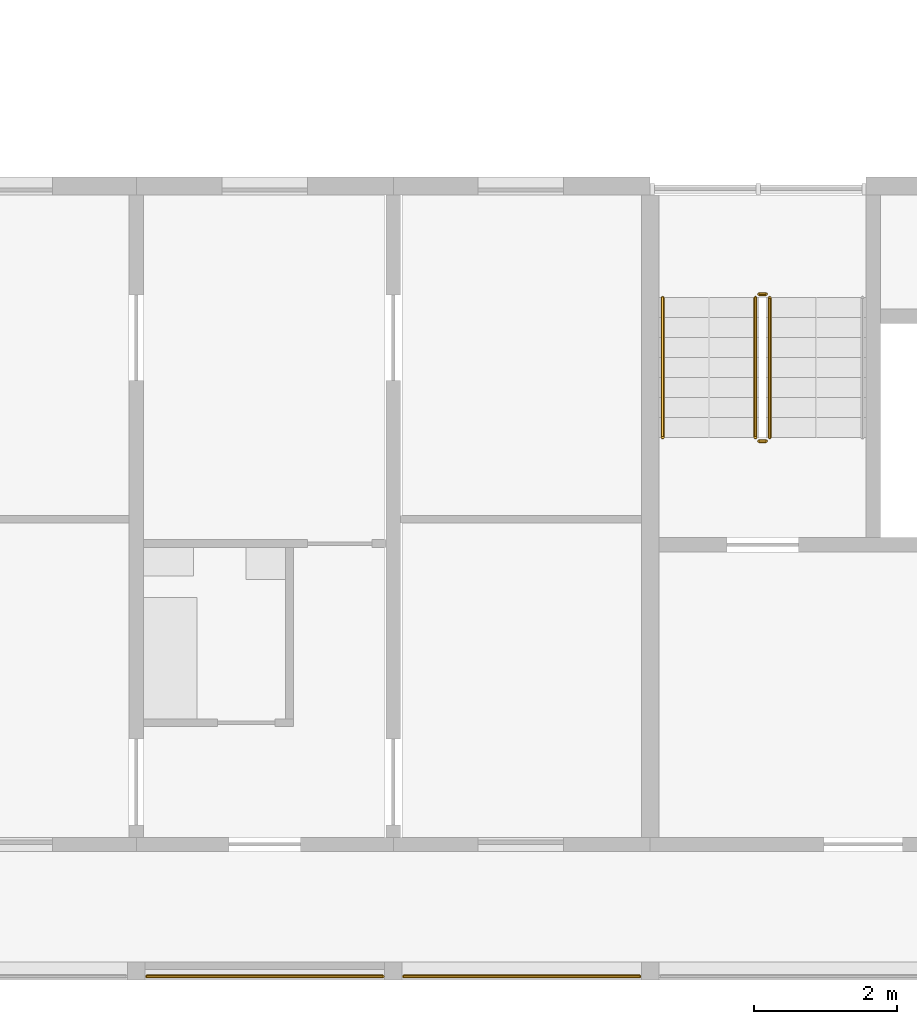
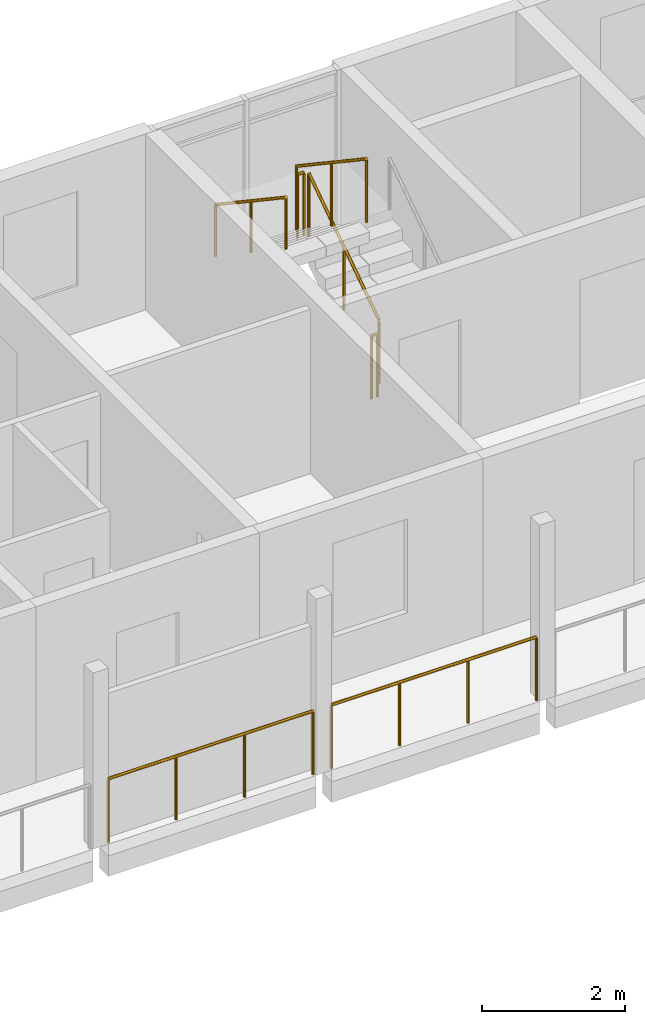
# One storey, part 78 of 98: 7 railings.
"""IFC4 building model written with IfcOpenShell, lengths in metres."""

from ifc_helpers import new_model, si_unit, direction, frame, origin, origin_2d, place, context, subcontext, project, spatial, circle, extrude, material, type_object, element, save


model = new_model("IFC4")

# Units and contexts
model_context = context("Model", 3, precision=1e-05, world=origin(), true_north=direction((0.0, 1.0)))
body_context = subcontext(model_context, "Body", "Model", "MODEL_VIEW")
ifc_project = project(units=[si_unit("LENGTHUNIT", "METRE"), si_unit("AREAUNIT", "SQUARE_METRE"), si_unit("VOLUMEUNIT", "CUBIC_METRE"), si_unit("PLANEANGLEUNIT", "RADIAN"), si_unit("MASSUNIT", "GRAM", prefix="KILO")], contexts=[model_context])

# Site, building, storey
site_placement = place(None, origin())
site = spatial("IfcSite", under=ifc_project, at=site_placement, CompositionType="ELEMENT")
building_placement = place(site_placement, origin())
building = spatial("IfcBuilding", under=site, at=building_placement, Name="Ridgestep Commons", CompositionType="ELEMENT")
storey_placement = place(building_placement, frame((0.0, 0.0, 12.0)))
storey = spatial("IfcBuildingStorey", under=building, at=storey_placement, Name="L04", CompositionType="ELEMENT", Elevation=12.0)

# Railings
ifc_material_1 = material(Name="Structural steel S355JR", Category="steel")
railing_type_1 = type_object("IfcRailingType", Name="Guard 1100", PredefinedType="GUARDRAIL", material=ifc_material_1)
railing_1_placement = place(storey_placement, frame((66.14599609375, 11.800048828125, 0.0)))
element("IfcRailing", 1, at=railing_1_placement, inside=storey, type_object=railing_type_1, Name="Gallery guard A 04.14", PredefinedType="GUARDRAIL", context=body_context, shape_type="SweptSolid", body=[
    extrude(circle(Radius=0.02392578125, at=origin_2d()), frame((0.0, 0.0, 1.076171875), z_axis=(1.0, 0.0, 0.0), x_axis=(0.0, 1.0, 0.0)), (0.0, 0.0, 1.0), 3.30810546875),
    extrude(circle(Radius=0.02099609375, at=origin_2d()), origin(), (0.0, 0.0, 1.0), 1.052001953125),
    extrude(circle(Radius=0.02099609375, at=origin_2d()), frame((1.102783203125, 0.0, 0.0)), (0.0, 0.0, 1.0), 1.052001953125),
    extrude(circle(Radius=0.02099609375, at=origin_2d()), frame((2.205322265625, 0.0, 0.0)), (0.0, 0.0, 1.0), 1.052001953125),
    extrude(circle(Radius=0.02099609375, at=origin_2d()), frame((3.30810546875, 0.0, 0.0)), (0.0, 0.0, 1.0), 1.052001953125),
])
railing_2_placement = place(storey_placement, frame((69.74609375, 11.800048828125, 0.0)))
element("IfcRailing", 2, at=railing_2_placement, inside=storey, type_object=railing_type_1, Name="Gallery guard A 04.15", PredefinedType="GUARDRAIL", context=body_context, shape_type="SweptSolid", body=[
    extrude(circle(Radius=0.02392578125, at=origin_2d()), frame((0.0, 0.0, 1.076171875), z_axis=(1.0, 0.0, 0.0), x_axis=(0.0, 1.0, 0.0)), (0.0, 0.0, 1.0), 3.307861328125),
    extrude(circle(Radius=0.02099609375, at=origin_2d()), origin(), (0.0, 0.0, 1.0), 1.052001953125),
    extrude(circle(Radius=0.02099609375, at=origin_2d()), frame((1.1025390625, 0.0, 0.0)), (0.0, 0.0, 1.0), 1.052001953125),
    extrude(circle(Radius=0.02099609375, at=origin_2d()), frame((2.205322265625, 0.0, 0.0)), (0.0, 0.0, 1.0), 1.052001953125),
    extrude(circle(Radius=0.02099609375, at=origin_2d()), frame((3.307861328125, 0.0, 0.0)), (0.0, 0.0, 1.0), 1.052001953125),
])
ifc_material_2 = material(Name="Structural steel S355JR", Category="steel")
railing_type_2 = type_object("IfcRailingType", Name="Stair guard 1100", PredefinedType="GUARDRAIL", material=ifc_material_2)
railing_3_placement = place(storey_placement, frame((74.875, 19.35009765625, 0.1875)))
element("IfcRailing", 3, at=railing_3_placement, inside=storey, type_object=railing_type_2, Name="L04 A4C stair guard 1", PredefinedType="GUARDRAIL", context=body_context, shape_type="SweptSolid", body=[
    extrude(circle(Radius=0.02392578125, at=origin_2d()), frame((0.0, 0.0, 1.076171875), z_axis=(0.0, 0.830902050051, 0.556418712142), x_axis=(-1.0, 0.0, 0.0)), (0.0, 0.0, 1.0), 2.35888671875),
    extrude(circle(Radius=0.02099609375, at=origin_2d()), origin(), (0.0, 0.0, 1.0), 1.052001953125),
    extrude(circle(Radius=0.02099609375, at=origin_2d()), frame((0.0, 0.97998046875, 0.65625)), (0.0, 0.0, 1.0), 1.052001953125),
    extrude(circle(Radius=0.02099609375, at=origin_2d()), frame((0.0, 1.9599609375, 1.3125)), (0.0, 0.0, 1.0), 1.052001953125),
])
railing_4_placement = place(storey_placement, frame((74.824951171875, 21.360107421875, 1.5)))
element("IfcRailing", 4, at=railing_4_placement, inside=storey, type_object=railing_type_2, Name="L04 A4C stair guard 2", PredefinedType="GUARDRAIL", context=body_context, shape_type="SweptSolid", body=[
    extrude(circle(Radius=0.02392578125, at=origin_2d()), frame((0.0, 0.0, 1.076171875), z_axis=(-1.0, 0.0, 0.0), x_axis=(0.0, -1.0, 0.0)), (0.0, 0.0, 1.0), 0.099853515625),
    extrude(circle(Radius=0.02099609375, at=origin_2d()), origin(), (0.0, 0.0, 1.0), 1.052001953125),
    extrude(circle(Radius=0.02099609375, at=origin_2d()), frame((-0.099853515625, 0.0, 0.0)), (0.0, 0.0, 1.0), 1.052001953125),
])
railing_5_placement = place(storey_placement, frame((74.675048828125, 21.31005859375, 1.6875)))
element("IfcRailing", 5, at=railing_5_placement, inside=storey, type_object=railing_type_2, Name="L04 A4C stair guard 3", PredefinedType="GUARDRAIL", context=body_context, shape_type="SweptSolid", body=[
    extrude(circle(Radius=0.02392578125, at=origin_2d()), frame((0.0, 0.0, 1.076171875), z_axis=(0.0, -0.830902050051, 0.556418712142), x_axis=(1.0, 0.0, 0.0)), (0.0, 0.0, 1.0), 2.35888671875),
    extrude(circle(Radius=0.02099609375, at=origin_2d()), origin(), (0.0, 0.0, 1.0), 1.052001953125),
    extrude(circle(Radius=0.02099609375, at=origin_2d()), frame((0.0, -0.97998046875, 0.65625)), (0.0, 0.0, 1.0), 1.052001953125),
    extrude(circle(Radius=0.02099609375, at=origin_2d()), frame((0.0, -1.9599609375, 1.3125)), (0.0, 0.0, 1.0), 1.052001953125),
])
railing_6_placement = place(storey_placement, frame((74.824951171875, 19.300048828125, 0.0)))
element("IfcRailing", 6, at=railing_6_placement, inside=storey, type_object=railing_type_2, Name="L04 A4C stair guard 4", PredefinedType="GUARDRAIL", context=body_context, shape_type="SweptSolid", body=[
    extrude(circle(Radius=0.02392578125, at=origin_2d()), frame((0.0, 0.0, 1.076171875), z_axis=(-1.0, 0.0, 0.0), x_axis=(0.0, -1.0, 0.0)), (0.0, 0.0, 1.0), 0.099853515625),
    extrude(circle(Radius=0.02099609375, at=origin_2d()), origin(), (0.0, 0.0, 1.0), 1.052001953125),
    extrude(circle(Radius=0.02099609375, at=origin_2d()), frame((-0.099853515625, 0.0, 0.0)), (0.0, 0.0, 1.0), 1.052001953125),
])
ifc_material_3 = material(Name="Structural steel S355JR", Category="steel")
railing_type_3 = type_object("IfcRailingType", Name="Stair handrail 900", PredefinedType="HANDRAIL", material=ifc_material_3)
railing_7_placement = place(storey_placement, frame((73.375, 21.31005859375, 1.6875)))
element("IfcRailing", 7, at=railing_7_placement, inside=storey, type_object=railing_type_3, Name="L04 A4C stair handrail 2", PredefinedType="HANDRAIL", context=body_context, shape_type="SweptSolid", body=[
    extrude(circle(Radius=0.02392578125, at=origin_2d()), frame((0.0, 0.0, 0.8759765625), z_axis=(0.0, -0.830902050051, 0.556418712142), x_axis=(1.0, 0.0, 0.0)), (0.0, 0.0, 1.0), 2.35888671875),
    extrude(circle(Radius=0.02099609375, at=origin_2d()), origin(), (0.0, 0.0, 1.0), 0.851806640625),
    extrude(circle(Radius=0.02099609375, at=origin_2d()), frame((0.0, -0.97998046875, 0.65625)), (0.0, 0.0, 1.0), 0.851806640625),
    extrude(circle(Radius=0.02099609375, at=origin_2d()), frame((0.0, -1.9599609375, 1.3125)), (0.0, 0.0, 1.0), 0.851806640625),
])

save(model, "model.ifc")
